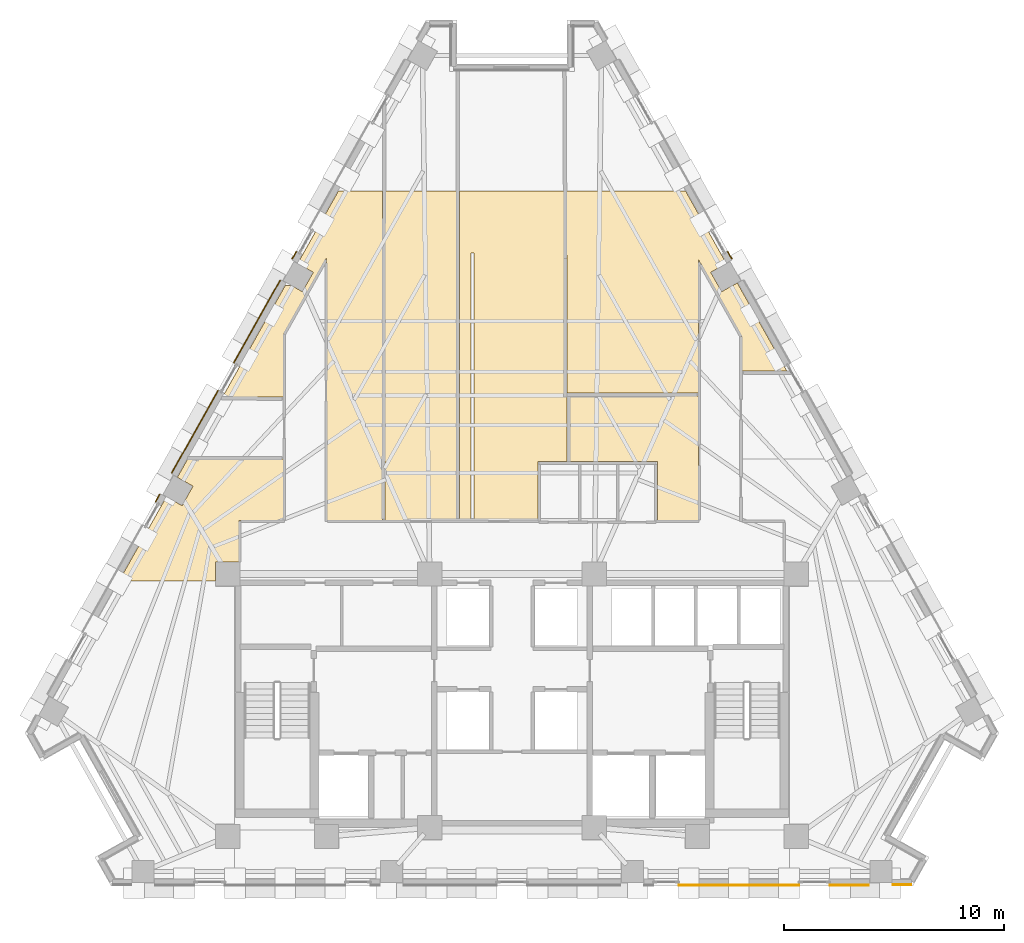
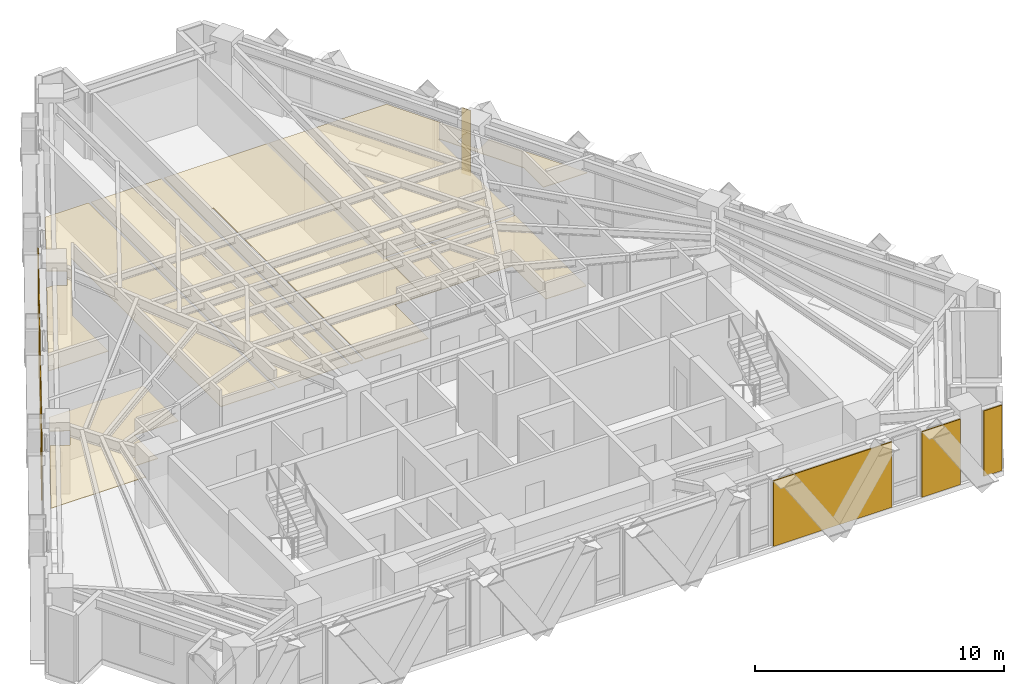
# One storey, part 11 of 13: 14 coverings.
"""IFC4 building model written with IfcOpenShell, lengths in metres."""

import ifcopenshell
import ifcopenshell.guid

model = None  # the IFC model being written
_history = None  # IfcOwnerHistory: only IFC2X3 demands one
_inside = {}  # id of a spatial element -> (the spatial element, [elements in it])
_under = {}  # id of a project, library or spatial element -> (it, [spatial elements below it])
_declared = {}  # id of a project -> (the project, [libraries it declares])
_typed = {}  # id of a type object -> (the type object, [elements of that type])
_made_of = {}  # id of a material, layer set ... -> (it, [elements and type objects made of it])


def new_model(schema):
    """Start an empty IFC model of exactly this schema.

    Asked for "IFC4X3", IfcOpenShell would pick the latest addendum, in which some entities
    have other attributes; the version numbers below select the first issue.
    IFC2X3 requires an IfcOwnerHistory on every rooted entity: one is made here for all.
    """
    global model, _history
    if schema == "IFC4X3":
        model = ifcopenshell.file(schema_version=(4, 3, 0, 0))
    else:
        model = ifcopenshell.file(schema=schema)
    _inside.clear()
    _under.clear()
    _declared.clear()
    _typed.clear()
    _made_of.clear()
    _history = None
    if model.schema == "IFC2X3":
        org = make("IfcOrganization", Name="unknown")
        user = make(
            "IfcPersonAndOrganization",
            ThePerson=make("IfcPerson", FamilyName="unknown"),
            TheOrganization=org,
        )
        app = make(
            "IfcApplication",
            ApplicationDeveloper=org,
            Version="unknown",
            ApplicationFullName="unknown",
            ApplicationIdentifier="unknown",
        )
        _history = make(
            "IfcOwnerHistory",
            OwningUser=user,
            OwningApplication=app,
            ChangeAction="ADDED",
            CreationDate=0,
        )
    return model


def make(cls, **values):
    """One entity of the class cls with the attributes given. An attribute that is None is left unset."""
    return model.create_entity(
        cls, **{name: value for name, value in values.items() if value is not None}
    )


def rooted(cls, **values):
    """An entity with a GlobalId (a new one), such as an element, a storey or a relation."""
    return make(cls, GlobalId=ifcopenshell.guid.new(), OwnerHistory=_history, **values)


def si_unit(unit_type, name, prefix=None):
    """IfcSIUnit, for example si_unit("LENGTHUNIT", "METRE", prefix="MILLI")."""
    return make("IfcSIUnit", UnitType=unit_type, Prefix=prefix, Name=name)


def assignment(units):
    """IfcUnitAssignment: the units of a project."""
    return None if units is None else make("IfcUnitAssignment", Units=units)


def point(xyz):
    """IfcCartesianPoint."""
    return None if xyz is None else make("IfcCartesianPoint", Coordinates=xyz)


def direction(xyz):
    """IfcDirection."""
    return None if xyz is None else make("IfcDirection", DirectionRatios=xyz)


def frame(location, z_axis=None, x_axis=None):
    """IfcAxis2Placement3D, a coordinate frame: its origin and axes. An axis left out is left unset."""
    return make(
        "IfcAxis2Placement3D",
        Location=point(location),
        Axis=direction(z_axis),
        RefDirection=direction(x_axis),
    )


def origin():
    """The frame at (0, 0, 0) with its axes left unset."""
    return frame((0.0, 0.0, 0.0))


def place(relative_to, where):
    """IfcLocalPlacement: puts the frame where relative to a parent placement (None: the world)."""
    return make(
        "IfcLocalPlacement", PlacementRelTo=relative_to, RelativePlacement=where
    )


def context(
    kind, dimensions, precision=None, world=None, true_north=None, identifier=None
):
    """IfcGeometricRepresentationContext, for example the 3D "Model" context."""
    return make(
        "IfcGeometricRepresentationContext",
        ContextIdentifier=identifier,
        ContextType=kind,
        CoordinateSpaceDimension=dimensions,
        Precision=precision,
        WorldCoordinateSystem=world,
        TrueNorth=true_north,
    )


def subcontext(parent, identifier, kind, view, scale=None):
    """IfcGeometricRepresentationSubContext, for example "Body" below "Model"."""
    return make(
        "IfcGeometricRepresentationSubContext",
        ContextIdentifier=identifier,
        ContextType=kind,
        ParentContext=parent,
        TargetScale=scale,
        TargetView=view,
    )


def project(units=None, contexts=None):
    """IfcProject with its units and contexts."""
    return rooted(
        "IfcProject",
        Name="project",
        RepresentationContexts=contexts,
        UnitsInContext=assignment(units),
    )


def spatial(cls, under=None, at=None, **own):
    """A site, building, storey or space (cls), placed at a placement, below another one or the project."""
    s = rooted(cls, ObjectPlacement=at, **own)
    if under is not None:
        _under.setdefault(under.id(), (under, []))[1].append(s)
    return s


def polyline(points):
    """IfcPolyline through the points."""
    return make("IfcPolyline", Points=[point(p) for p in points])


def outline(outer, holes=None, kind="AREA"):
    """IfcArbitraryClosedProfileDef: a profile drawn as a closed curve; with holes, ...WithVoids."""
    if holes is None:
        return make("IfcArbitraryClosedProfileDef", ProfileType=kind, OuterCurve=outer)
    return make(
        "IfcArbitraryProfileDefWithVoids",
        ProfileType=kind,
        OuterCurve=outer,
        InnerCurves=holes,
    )


def extrude(swept, where, along, depth):
    """IfcExtrudedAreaSolid: the profile swept, set in the frame where, extruded along a direction by depth."""
    return make(
        "IfcExtrudedAreaSolid",
        SweptArea=swept,
        Position=where,
        ExtrudedDirection=direction(along),
        Depth=depth,
    )


def shape(context_of_items, identifier, shape_type, items):
    """IfcShapeRepresentation: the items that make up one representation, for example the "Body"."""
    return make(
        "IfcShapeRepresentation",
        ContextOfItems=context_of_items,
        RepresentationIdentifier=identifier,
        RepresentationType=shape_type,
        Items=items,
    )


def material(Name=None, Category=None):
    """IfcMaterial."""
    return make("IfcMaterial", Name=Name, Category=Category)


def layer(
    of_material, thickness, ventilated=None, Name=None, Category=None, Priority=None
):
    """IfcMaterialLayer: one layer of a wall or slab, of a material (None: an air gap)."""
    return make(
        "IfcMaterialLayer",
        Material=of_material,
        LayerThickness=thickness,
        IsVentilated=ventilated,
        Name=Name,
        Category=Category,
        Priority=Priority,
    )


def layer_set(layers, Name=None):
    """IfcMaterialLayerSet."""
    return make("IfcMaterialLayerSet", MaterialLayers=layers, LayerSetName=Name)


def made_of(thing, what):
    """Note that an element or type object is made of a material, layer set ...; save() writes the relation."""
    if what is not None:
        _made_of.setdefault(what.id(), (what, []))[1].append(thing)
    return thing


def type_object(cls, material=None, **own):
    """A type object (cls), such as IfcWallType, which elements share."""
    return made_of(rooted(cls, **own), material)


def element(
    cls,
    number,
    at=None,
    inside=None,
    cuts=None,
    type_object=None,
    material=None,
    context=None,
    identifier="Body",
    shape_type=None,
    held_by="IfcProductDefinitionShape",
    body=None,
    shapes=None,
    **own,
):
    """One element of the class cls, such as IfcWall. Its Tag is "e" and its number.

    at: its placement. inside: the storey or other place that contains it. cuts: it is an
    opening in that element (IfcRelVoidsElement). A single representation is given by context,
    identifier, shape_type and body (its items); several are given by shapes. held_by: the class
    of the entity that holds the representations. save() writes the other relations.
    """
    e = rooted(cls, Tag="e%d" % number, ObjectPlacement=at, **own)
    if body is not None:
        shapes = [shape(context, identifier, shape_type, body)]
    if shapes is not None:
        e.Representation = make(held_by, Representations=shapes)
    if inside is not None:
        _inside.setdefault(inside.id(), (inside, []))[1].append(e)
    if cuts is not None:
        rooted(
            "IfcRelVoidsElement", RelatingBuildingElement=cuts, RelatedOpeningElement=e
        )
    if type_object is not None:
        _typed.setdefault(type_object.id(), (type_object, []))[1].append(e)
    return made_of(e, material)


def aggregate(whole, parts):
    """IfcRelAggregates: a whole, such as a stair, and the parts it consists of."""
    return rooted("IfcRelAggregates", RelatingObject=whole, RelatedObjects=parts)


def save(model, path):
    """Write the relations noted so far, then the file.

    IfcRelAggregates (storeys below a building ...), IfcRelContainedInSpatialStructure (elements
    in a storey), IfcRelDefinesByType, IfcRelAssociatesMaterial and IfcRelDeclares: one each for
    every whole, place, type object, material and project.
    """
    for whole, parts in _under.values():
        aggregate(whole, parts)
    for where, things in _inside.values():
        rooted(
            "IfcRelContainedInSpatialStructure",
            RelatedElements=things,
            RelatingStructure=where,
        )
    for kind, things in _typed.values():
        rooted("IfcRelDefinesByType", RelatedObjects=things, RelatingType=kind)
    for what, things in _made_of.values():
        rooted("IfcRelAssociatesMaterial", RelatedObjects=things, RelatingMaterial=what)
    for by, libraries in _declared.values():
        rooted("IfcRelDeclares", RelatingContext=by, RelatedDefinitions=libraries)
    model.write(path)


model = new_model("IFC4")

# Units and contexts
model_context = context("Model", 3, precision=1e-05, world=origin(), true_north=direction((0.0, 1.0)))
body_context = subcontext(model_context, "Body", "Model", "MODEL_VIEW")
ifc_project = project(units=[si_unit("LENGTHUNIT", "METRE"), si_unit("AREAUNIT", "SQUARE_METRE"), si_unit("VOLUMEUNIT", "CUBIC_METRE"), si_unit("PLANEANGLEUNIT", "RADIAN"), si_unit("MASSUNIT", "GRAM", prefix="KILO")], contexts=[model_context])

# Site, building, storey
site_placement = place(None, origin())
site = spatial("IfcSite", under=ifc_project, at=site_placement, CompositionType="ELEMENT")
building_placement = place(site_placement, origin())
building = spatial("IfcBuilding", under=site, at=building_placement, Name="Quenlor Broadcast Tower", CompositionType="ELEMENT")
storey_placement = place(building_placement, frame((0.0, 0.0, 172.0)))
storey = spatial("IfcBuildingStorey", under=building, at=storey_placement, Name="L47", CompositionType="ELEMENT", Elevation=172.0)

# Coverings
ifc_material_1 = material(Name="Acoustic Mineral Fibre Board", Category="other")
ifc_layer_1 = layer(ifc_material_1, 0.02490234375)
ifc_layer_set_1 = layer_set([ifc_layer_1], Name="Acoustic Perforated Mineral Tile Ceiling 25")
covering_type_1 = type_object("IfcCoveringType", Name="Acoustic Perforated Mineral Tile Ceiling 25", PredefinedType="CEILING", material=ifc_layer_set_1)
covering_1_placement = place(storey_placement, frame((0.0, 0.0, 2.375)))
element("IfcCovering", 1, at=covering_1_placement, inside=storey, type_object=covering_type_1, Name="L47 Acoustic Ceiling L47-28", PredefinedType="CEILING", context=body_context, shape_type="SweptSolid", body=[
    extrude(outline(polyline([(10.4599609375, 4.4599609375), (10.4599609375, 6.030517578125), (8.5, 9.514892578125), (8.5, 3.439697265625), (2.510009765625, 3.439697265625), (2.510009765625, 9.71435546875), (2.495361328125, 9.73291015625), (2.4814453125, 9.7587890625), (2.472900390625, 9.786865234375), (2.469970703125, 9.816162109375), (2.469970703125, 12.64990234375), (7.90673828125, 12.64990234375), (8.0634765625, 12.37158203125), (9.76416015625, 9.347900390625), (9.607666015625, 9.260009765625), (9.449951171875, 9.260009765625), (9.449951171875, 9.17138671875), (9.05126953125, 8.947021484375), (9.54931640625, 8.0615234375), (10.26220703125, 8.46240234375), (10.9326171875, 7.270751953125), (12.513671875, 4.4599609375), (10.4599609375, 4.4599609375)])), origin(), (0.0, 0.0, 1.0), 0.02490234375),
])
covering_2_placement = place(storey_placement, frame((0.0, 0.0, 2.375)))
element("IfcCovering", 2, at=covering_2_placement, inside=storey, type_object=covering_type_1, Name="L47 Acoustic Ceiling L47-30", PredefinedType="CEILING", context=body_context, shape_type="SweptSolid", body=[
    extrude(outline(polyline([(-2.5146484375, -2.3701171875), (-5.780029296875, -2.3701171875), (-5.780029296875, 12.64990234375), (-2.5146484375, 12.64990234375), (-2.5146484375, -2.3701171875)])), origin(), (0.0, 0.0, 1.0), 0.02490234375),
])
covering_3_placement = place(storey_placement, frame((0.0, 0.0, 2.375)))
element("IfcCovering", 3, at=covering_3_placement, inside=storey, type_object=covering_type_1, Name="L47 Acoustic Ceiling L47-31", PredefinedType="CEILING", context=body_context, shape_type="SweptSolid", body=[
    extrude(outline(polyline([(-9.05126953125, 8.947021484375), (-9.76416015625, 9.347900390625), (-7.90673828125, 12.64990234375), (-5.89990234375, 12.64990234375), (-5.89990234375, -2.3701171875), (-8.43994140625, -2.3701171875), (-8.43994140625, 9.62158203125), (-10.39990234375, 6.13720703125), (-10.39990234375, 3.260009765625), (-13.188720703125, 3.260009765625), (-10.331298828125, 8.340087890625), (-10.04443359375, 8.340087890625), (-9.54931640625, 8.0615234375), (-9.05126953125, 8.947021484375)])), origin(), (0.0, 0.0, 1.0), 0.02490234375),
])
covering_4_placement = place(storey_placement, frame((0.0, 0.0, 2.375)))
element("IfcCovering", 4, at=covering_4_placement, inside=storey, type_object=covering_type_1, Name="L47 Acoustic Ceiling L47-34", PredefinedType="CEILING", context=body_context, shape_type="SweptSolid", body=[
    extrude(outline(polyline([(6.6201171875, 0.320068359375), (2.510009765625, 0.320068359375), (2.510009765625, 3.319580078125), (8.5, 3.319580078125), (8.5, -2.3701171875), (7.449951171875, -2.3701171875), (6.6201171875, -2.3701171875), (6.6201171875, 0.320068359375)])), origin(), (0.0, 0.0, 1.0), 0.02490234375),
])
covering_5_placement = place(storey_placement, frame((0.0, 0.0, 2.375)))
element("IfcCovering", 5, at=covering_5_placement, inside=storey, type_object=covering_type_1, Name="L47 Acoustic Ceiling L47-35", PredefinedType="CEILING", context=body_context, shape_type="SweptSolid", body=[
    extrude(outline(polyline([(-15.7431640625, -1.281494140625), (-15.0302734375, -1.6826171875), (-14.5322265625, -0.797119140625), (-15.2451171875, -0.39599609375), (-14.775146484375, 0.439697265625), (-10.39990234375, 0.439697265625), (-10.39990234375, -2.3701171875), (-12.43994140625, -2.3701171875), (-12.43994140625, -4.241943359375), (-13.508056640625, -4.241943359375), (-13.508056640625, -5.1201171875), (-17.90234375, -5.1201171875), (-15.7431640625, -1.281494140625)])), origin(), (0.0, 0.0, 1.0), 0.02490234375),
])
ifc_material_2 = material(Name="Acoustic Gypsum Board", Category="other")
ifc_layer_2 = layer(ifc_material_2, 0.0400390625)
ifc_layer_set_2 = layer_set([ifc_layer_2], Name="Broadcast Studio Spring Isolated Ceiling 40")
covering_type_2 = type_object("IfcCoveringType", Name="Broadcast Studio Spring Isolated Ceiling 40", PredefinedType="CEILING", material=ifc_layer_set_2)
covering_6_placement = place(storey_placement, frame((0.0, 0.0, 2.360107421875)))
element("IfcCovering", 6, at=covering_6_placement, inside=storey, type_object=covering_type_2, Name="L47 Acoustic Ceiling L47-29", PredefinedType="CEILING", context=body_context, shape_type="SweptSolid", body=[
    extrude(outline(polyline([(1.179931640625, -2.3701171875), (-1.739990234375, -2.3701171875), (-1.739990234375, 9.816162109375), (-1.860107421875, 9.816162109375), (-1.860107421875, -2.3701171875), (-2.394775390625, -2.3701171875), (-2.394775390625, 12.64990234375), (2.5, 12.64990234375), (2.5, 0.320068359375), (1.179931640625, 0.320068359375), (1.179931640625, -2.3701171875)])), origin(), (0.0, 0.0, 1.0), 0.039794921875),
])
ifc_material_3 = material(Name="Architectural Terracotta Ceramic", Category="masonry")
ifc_layer_3 = layer(ifc_material_3, 0.044921875)
ifc_layer_set_3 = layer_set([ifc_layer_3], Name="Fluted Terracotta Rainscreen Cladding Panel")
covering_type_3 = type_object("IfcCoveringType", Name="Fluted Terracotta Rainscreen Cladding Panel", PredefinedType="CLADDING", material=ifc_layer_set_3)
covering_7_placement = place(storey_placement, frame((0.0, 0.0, 0.02001953125)))
element("IfcCovering", 7, at=covering_7_placement, inside=storey, type_object=covering_type_3, Name="L47 Terracotta Rainscreen Cladding L47-SHD-SS0", PredefinedType="CLADDING", context=body_context, shape_type="SweptSolid", body=[
    extrude(outline(polyline([(18.179931640625, -18.93701171875), (17.343505859375, -18.93701171875), (17.343505859375, -18.98193359375), (18.179931640625, -18.98193359375), (18.179931640625, -18.93701171875)])), origin(), (0.0, 0.0, 1.0), 3.2099609375),
])
covering_8_placement = place(storey_placement, frame((0.0, 0.0, 0.02001953125)))
element("IfcCovering", 8, at=covering_8_placement, inside=storey, type_object=covering_type_3, Name="L47 Terracotta Rainscreen Cladding L47-SA-SP1", PredefinedType="CLADDING", context=body_context, shape_type="SweptSolid", body=[
    extrude(outline(polyline([(16.25341796875, -18.95703125), (14.47509765625, -18.95703125), (14.47509765625, -19.001953125), (16.25341796875, -19.001953125), (16.25341796875, -18.95703125)])), origin(), (0.0, 0.0, 1.0), 3.2099609375),
])
covering_9_placement = place(storey_placement, frame((0.0, 0.0, 0.02001953125)))
element("IfcCovering", 9, at=covering_9_placement, inside=storey, type_object=covering_type_3, Name="L47 Terracotta Rainscreen Cladding L47-SA-SP2", PredefinedType="CLADDING", context=body_context, shape_type="SweptSolid", body=[
    extrude(outline(polyline([(13.076904296875, -18.95703125), (7.5869140625, -18.95703125), (7.5869140625, -19.001953125), (13.076904296875, -19.001953125), (13.076904296875, -18.95703125)])), origin(), (0.0, 0.0, 1.0), 3.2099609375),
])
covering_10_placement = place(storey_placement, frame((0.0, 0.0, 0.02001953125)))
element("IfcCovering", 10, at=covering_10_placement, inside=storey, type_object=covering_type_3, Name="L47 Terracotta Rainscreen Cladding L47-NEA-SP3", PredefinedType="CLADDING", context=body_context, shape_type="SweptSolid", body=[
    extrude(outline(polyline([(9.803955078125, 9.88330078125), (10.0, 9.53466796875), (10.039306640625, 9.556640625), (9.843017578125, 9.9052734375), (9.803955078125, 9.88330078125)])), origin(), (0.0, 0.0, 1.0), 3.2099609375),
])
covering_11_placement = place(storey_placement, frame((0.0, 0.0, 0.02001953125)))
element("IfcCovering", 11, at=covering_11_placement, inside=storey, type_object=covering_type_3, Name="L47 Terracotta Rainscreen Cladding L47-NWA-SP3", PredefinedType="CLADDING", context=body_context, shape_type="SweptSolid", body=[
    extrude(outline(polyline([(-16.22119140625, -1.525390625), (-16.025146484375, -1.1767578125), (-16.064453125, -1.15478515625), (-16.260498046875, -1.50341796875), (-16.22119140625, -1.525390625)])), origin(), (0.0, 0.0, 1.0), 3.2099609375),
])
covering_12_placement = place(storey_placement, frame((0.0, 0.0, 0.02001953125)))
element("IfcCovering", 12, at=covering_12_placement, inside=storey, type_object=covering_type_3, Name="L47 Terracotta Rainscreen Cladding L47-NWC-SP1", PredefinedType="CLADDING", context=body_context, shape_type="SweptSolid", body=[
    extrude(outline(polyline([(-10.0, 9.53466796875), (-9.803955078125, 9.88330078125), (-9.843017578125, 9.9052734375), (-10.039306640625, 9.556640625), (-10.0, 9.53466796875)])), origin(), (0.0, 0.0, 1.0), 3.2099609375),
])
covering_13_placement = place(storey_placement, frame((0.0, 0.0, 0.02001953125)))
element("IfcCovering", 13, at=covering_13_placement, inside=storey, type_object=covering_type_3, Name="L47 Terracotta Rainscreen Cladding L47-NW-SP1", PredefinedType="CLADDING", context=body_context, shape_type="SweptSolid", body=[
    extrude(outline(polyline([(-15.4833984375, -0.213623046875), (-13.367919921875, 3.547119140625), (-13.4072265625, 3.569091796875), (-15.522705078125, -0.191650390625), (-15.4833984375, -0.213623046875)])), origin(), (0.0, 0.0, 1.0), 3.2099609375),
])
covering_14_placement = place(storey_placement, frame((0.0, 0.0, 0.02001953125)))
element("IfcCovering", 14, at=covering_14_placement, inside=storey, type_object=covering_type_3, Name="L47 Terracotta Rainscreen Cladding L47-NW-SP2", PredefinedType="CLADDING", context=body_context, shape_type="SweptSolid", body=[
    extrude(outline(polyline([(-12.656982421875, 4.810791015625), (-10.541748046875, 8.571533203125), (-10.580810546875, 8.593505859375), (-12.6962890625, 4.832763671875), (-12.656982421875, 4.810791015625)])), origin(), (0.0, 0.0, 1.0), 3.2099609375),
])

save(model, "model.ifc")
